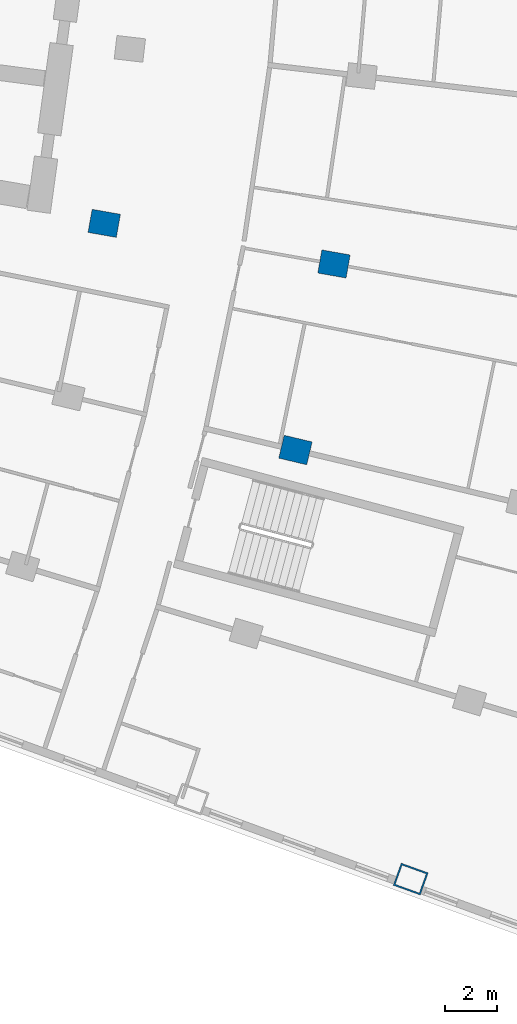
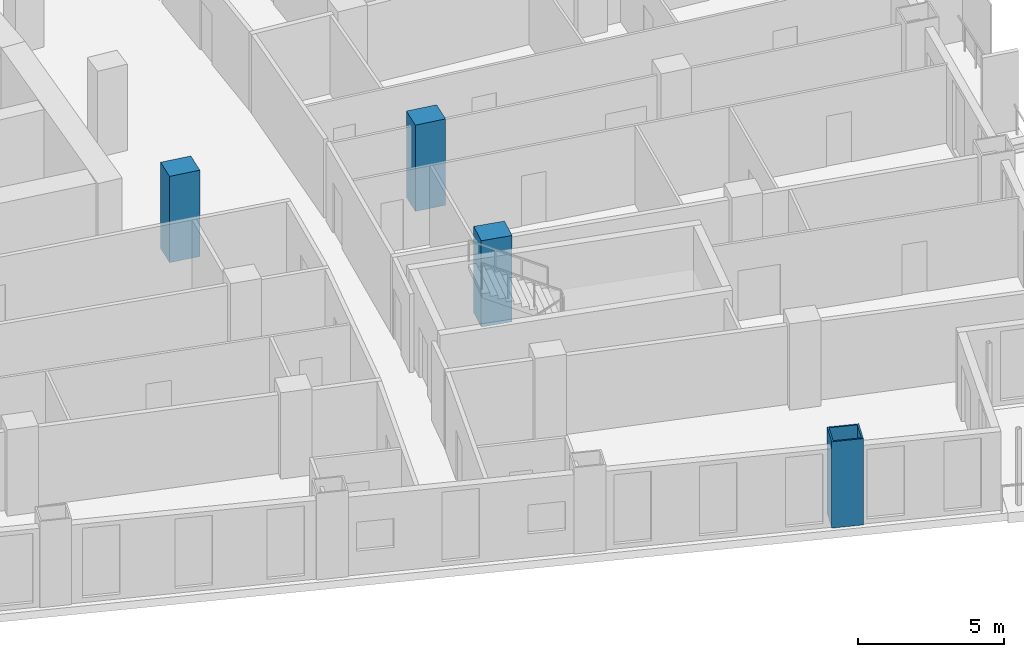
# One storey, part 4 of 25: 4 columns.
"""IFC4 building model written with IfcOpenShell, lengths in metres."""

from ifc_helpers import new_model, si_unit, direction, frame, origin, origin_2d, place, context, subcontext, project, spatial, rectangle, hollow_rectangle, extrude, material, material_profile, profile_set, type_object, element, save


model = new_model("IFC4")

# Units and contexts
model_context = context("Model", 3, precision=1e-05, world=origin(), true_north=direction((0.0, 1.0)))
body_context = subcontext(model_context, "Body", "Model", "MODEL_VIEW")
ifc_project = project(units=[si_unit("LENGTHUNIT", "METRE"), si_unit("AREAUNIT", "SQUARE_METRE"), si_unit("VOLUMEUNIT", "CUBIC_METRE"), si_unit("PLANEANGLEUNIT", "RADIAN"), si_unit("MASSUNIT", "GRAM", prefix="KILO")], contexts=[model_context])

# Site, building, storey
site_placement = place(None, origin())
site = spatial("IfcSite", under=ifc_project, at=site_placement, CompositionType="ELEMENT")
building_placement = place(site_placement, origin())
building = spatial("IfcBuilding", under=site, at=building_placement, Name="Alderwake Tower", CompositionType="ELEMENT")
storey_placement = place(building_placement, frame((0.0, 0.0, 57.199951171875)))
storey = spatial("IfcBuildingStorey", under=building, at=storey_placement, Name="L13", CompositionType="ELEMENT", Elevation=57.199951171875)

# Columns
ifc_material_1 = material(Name="Steel ASTM A572 Grade 50 concrete filled C70/85", Category="concrete")
ifc_material_profile_1 = material_profile(ifc_material_1, hollow_rectangle(XDim=0.89990234375, YDim=1.10009765625, WallThickness=0.06005859375, at=origin_2d()), Name="BOX 1100X900X60")
ifc_profile_set_1 = profile_set([ifc_material_profile_1], Name="Steel ASTM A572 Grade 50 concrete filled C70/85")
column_type_1 = type_object("IfcColumnType", Name="End column Z1", PredefinedType="COLUMN", material=ifc_profile_set_1)
column_placement = place(storey_placement, frame((45.767333984375, 15.72998046875, 0.0), z_axis=(0.0, 0.0, 1.0), x_axis=(0.33867716011, 0.940902641733, 0.0)))
element("IfcColumn", 1, at=column_placement, inside=storey, type_object=column_type_1, Name="Column R01-C4", PredefinedType="COLUMN", context=body_context, shape_type="SweptSolid", body=[
    extrude(hollow_rectangle(XDim=0.89990234375, YDim=1.10009765625, WallThickness=0.06005859375, at=origin_2d()), origin(), (0.0, 0.0, 1.0), 3.60009765625),
])
ifc_material_2 = material(Name="Concrete C70/85", Category="concrete")
ifc_material_profile_2 = material_profile(ifc_material_2, rectangle(XDim=0.89990234375, YDim=1.10009765625, at=origin_2d()), Name="RC 1100X900")
ifc_profile_set_2 = profile_set([ifc_material_profile_2], Name="Concrete C70/85")
column_type_2 = type_object("IfcColumnType", Name="Interior column Z1", PredefinedType="COLUMN", material=ifc_profile_set_2)
for number, where, z_axis, x_axis, name in (
    (2, (41.353271484375, 32.158935546875, 0.0), (0.0, 0.0, 1.0), (0.231221547198, 0.972901123502, 0.0), "Column R03-C3"),
    (3, (34.03125, 40.83837890625, 0.0), (0.0, 0.0, 1.0), (0.174108800747, 0.984726421654, 0.0), "Column R04-C2"),
    (4, (42.828125, 39.282958984375, 0.0), (0.0, 0.0, 1.0), (0.174108800747, 0.984726421654, 0.0), "Column R04-C3"),
):
    element("IfcColumn", number, at=place(storey_placement, frame(where, z_axis=z_axis, x_axis=x_axis)), inside=storey, type_object=column_type_2, Name=name, PredefinedType="COLUMN", context=body_context, shape_type="SweptSolid", body=[
        extrude(rectangle(XDim=0.89990234375, YDim=1.10009765625, at=origin_2d()), origin(), (0.0, 0.0, 1.0), 3.60009765625),
    ])

save(model, "model.ifc")
